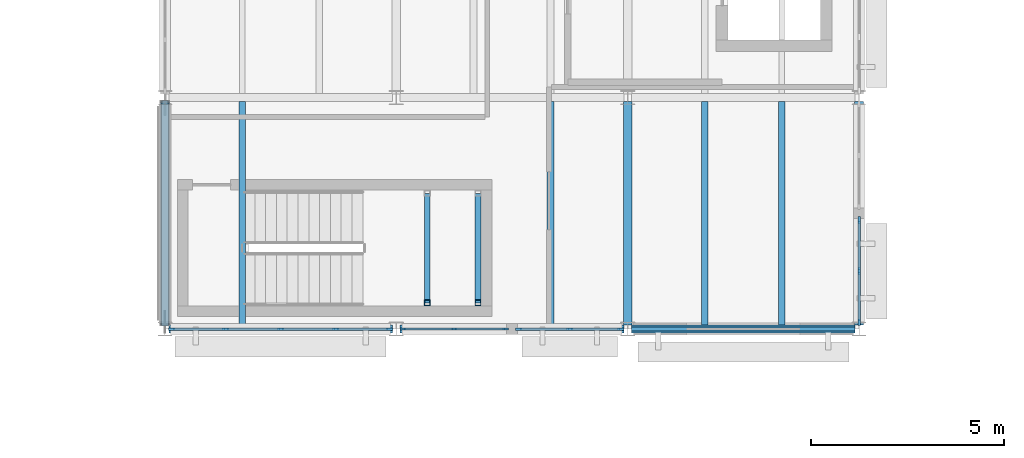
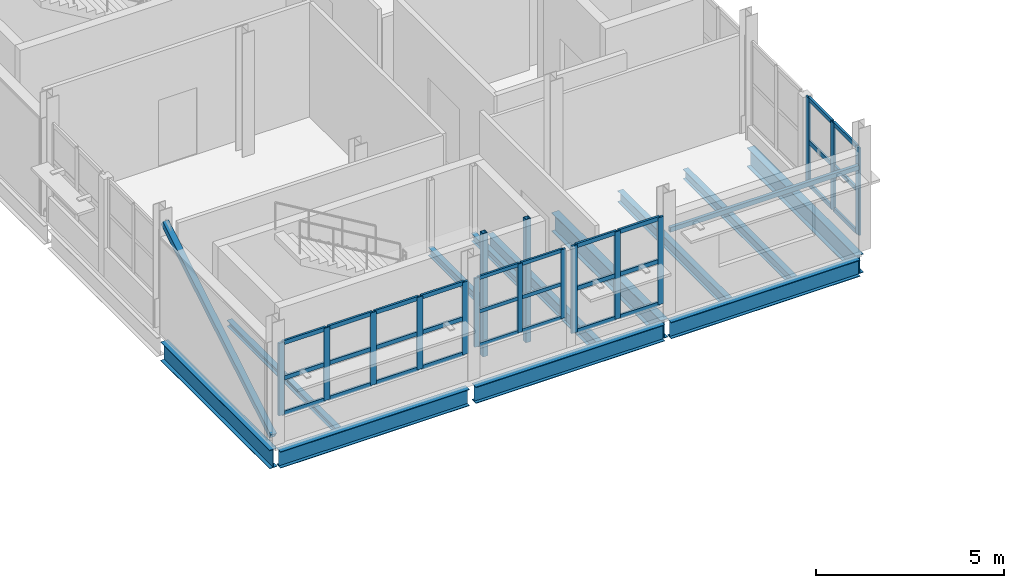
# One storey, part 30 of 92: 47 members, 13 beams, 4 elements without a shape of their own.
"""IFC4 building model written with IfcOpenShell, lengths in metres."""

from ifc_helpers import new_model, si_unit, direction, frame, origin, origin_2d, place, context, subcontext, project, spatial, rectangle, hollow_rectangle, i_section, extrude, material, material_profile, profile_set, type_object, element, aggregate, save


model = new_model("IFC4")

# Units and contexts
model_context = context("Model", 3, precision=1e-05, world=origin(), true_north=direction((0.0, 1.0)))
body_context = subcontext(model_context, "Body", "Model", "MODEL_VIEW")
ifc_project = project(units=[si_unit("LENGTHUNIT", "METRE"), si_unit("AREAUNIT", "SQUARE_METRE"), si_unit("VOLUMEUNIT", "CUBIC_METRE"), si_unit("PLANEANGLEUNIT", "RADIAN"), si_unit("MASSUNIT", "GRAM", prefix="KILO")], contexts=[model_context])

# Site, building, storey
site_placement = place(None, origin())
site = spatial("IfcSite", under=ifc_project, at=site_placement, CompositionType="ELEMENT")
building_placement = place(site_placement, origin())
building = spatial("IfcBuilding", under=site, at=building_placement, Name="Siltcreek Boulevard Central Fire Station", CompositionType="ELEMENT")
storey_placement = place(building_placement, frame((0.0, 0.0, 6.0)))
storey = spatial("IfcBuildingStorey", under=building, at=storey_placement, Name="L02", CompositionType="ELEMENT", Elevation=6.0)

# Beams
ifc_material_1 = material(Name="Structural steel ASTM A992 Gr50", Category="steel")
ifc_material_profile_1 = material_profile(ifc_material_1, i_section(OverallWidth=0.2109375, OverallDepth=0.5390625, WebThickness=0.01171875, FlangeThickness=0.018798828125, at=origin_2d()), Name="W530X109")
ifc_profile_set_1 = profile_set([ifc_material_profile_1], Name="Structural steel ASTM A992 Gr50")
beam_type_1 = type_object("IfcBeamType", Name="BM_W530X109", PredefinedType="BEAM", material=ifc_profile_set_1)
for number, where, z_axis, x_axis, name in (
    (1, (42.10009765625, 94.199951171875, -0.589599609375), (1.0, 0.0, 0.0), (0.0, 1.0, 0.0), "L02 primary steel girder GX-0116"),
    (2, (48.10009765625, 94.199951171875, -0.589599609375), (1.0, 0.0, 0.0), (0.0, 1.0, 0.0), "L02 primary steel girder GX-0117"),
    (3, (54.10009765625, 94.199951171875, -0.589599609375), (1.0, 0.0, 0.0), (0.0, 1.0, 0.0), "L02 primary steel girder GX-0118"),
):
    element("IfcBeam", number, at=place(storey_placement, frame(where, z_axis=z_axis, x_axis=x_axis)), inside=storey, type_object=beam_type_1, Name=name, PredefinedType="BEAM", context=body_context, shape_type="SweptSolid", body=[
        extrude(i_section(OverallWidth=0.2109375, OverallDepth=0.5390625, WebThickness=0.01171875, FlangeThickness=0.018798828125, at=origin_2d()), origin(), (0.0, 0.0, 1.0), 5.7998046875),
    ])
ifc_material_profile_2 = material_profile(ifc_material_1, i_section(OverallWidth=0.22802734375, OverallDepth=0.60791015625, WebThickness=0.01123046875, FlangeThickness=0.017333984375, at=origin_2d()), Name="W610X113")
ifc_profile_set_2 = profile_set([ifc_material_profile_2], Name="Structural steel ASTM A992 Gr50")
beam_type_2 = type_object("IfcBeamType", Name="BM_W610X113", PredefinedType="BEAM", material=ifc_profile_set_2)
for number, where, z_axis, x_axis, name in (
    (4, (42.0, 94.300048828125, -0.6240234375), (0.0, 1.0, 0.0), (-1.0, 0.0, 0.0), "L02 primary steel girder GY-0128"),
    (5, (54.0, 94.300048828125, -0.6240234375), (0.0, 1.0, 0.0), (-1.0, 0.0, 0.0), "L02 primary steel girder GY-0132"),
    (6, (60.0, 94.300048828125, -0.6240234375), (0.0, 1.0, 0.0), (-1.0, 0.0, 0.0), "L02 primary steel girder GY-0135"),
):
    element("IfcBeam", number, at=place(storey_placement, frame(where, z_axis=z_axis, x_axis=x_axis)), inside=storey, type_object=beam_type_2, Name=name, PredefinedType="BEAM", context=body_context, shape_type="SweptSolid", body=[
        extrude(i_section(OverallWidth=0.22802734375, OverallDepth=0.60791015625, WebThickness=0.01123046875, FlangeThickness=0.017333984375, at=origin_2d()), origin(), (0.0, 0.0, 1.0), 5.800048828125),
    ])

# Members
ifc_material_2 = material(Name="Structural steel ASTM A500 GrC", Category="steel")
ifc_material_profile_3 = material_profile(ifc_material_2, hollow_rectangle(XDim=0.14990234375, YDim=0.14990234375, WallThickness=0.008056640625, at=origin_2d()), Name="HSS150X150X8.0")
ifc_profile_set_3 = profile_set([ifc_material_profile_3], Name="Structural steel ASTM A500 GrC")
member_type_1 = type_object("IfcMemberType", Name="BR_HSS150_8", PredefinedType="BRACE", material=ifc_profile_set_3)
for number, where, z_axis, x_axis, name in (
    (7, (48.800048828125, 94.8798828125, 0.0), (0.0, 0.0, 1.0), (1.0, 0.0, 0.0), "L02 ST-V3A stair landing corner post SW"),
    (8, (50.1201171875, 94.8798828125, 0.0), (0.0, 0.0, 1.0), (1.0, 0.0, 0.0), "L02 ST-V3A stair landing corner post SE"),
):
    element("IfcMember", number, at=place(storey_placement, frame(where, z_axis=z_axis, x_axis=x_axis)), inside=storey, type_object=member_type_1, Name=name, PredefinedType="BRACE", context=body_context, shape_type="SweptSolid", body=[
        extrude(hollow_rectangle(XDim=0.14990234375, YDim=0.14990234375, WallThickness=0.008056640625, at=origin_2d()), origin(), (0.0, 0.0, 1.0), 4.0),
    ])
ifc_material_profile_4 = material_profile(ifc_material_2, hollow_rectangle(XDim=0.179931640625, YDim=0.179931640625, WallThickness=0.008056640625, at=origin_2d()), Name="HSS180X180X8.0")
ifc_profile_set_4 = profile_set([ifc_material_profile_4], Name="Structural steel ASTM A500 GrC")
member_type_2 = type_object("IfcMemberType", Name="BR_HSS180", PredefinedType="BRACE", material=ifc_profile_set_4)
member_1_placement = place(storey_placement, frame((42.0, 94.320068359375, 0.10009765625), z_axis=(0.0, 0.857890513261, 0.513832528415), x_axis=(-1.0, 0.0, 0.0)))
element("IfcMember", 9, at=member_1_placement, inside=storey, type_object=member_type_2, Name="L02 SCBF concentrically braced frame BR-014", PredefinedType="BRACE", context=body_context, shape_type="SweptSolid", body=[
    extrude(hollow_rectangle(XDim=0.179931640625, YDim=0.179931640625, WallThickness=0.008056640625, at=origin_2d()), origin(), (0.0, 0.0, 1.0), 6.714111328125),
])

# Curtain wall, members
ifc_material_3 = material(Name="Anodized aluminum and low-E insulated glazing", Category="aluminium")
curtain_wall_type_1 = type_object("IfcCurtainWallType", Name="CW_SYS_06", PredefinedType="USERDEFINED", material=ifc_material_3)
curtain_wall_1_placement = place(storey_placement, origin())
curtain_wall_1 = element("IfcCurtainWall", 10, at=curtain_wall_1_placement, inside=storey, type_object=curtain_wall_type_1, Name="L02 V3 unitised curtain wall CW-035", ObjectType="CURTAIN WALL", PredefinedType="USERDEFINED")
ifc_material_4 = material(Name="Anodized 6063-T6 aluminum framing", Category="aluminium")
ifc_material_profile_5 = material_profile(ifc_material_4, rectangle(XDim=0.06005859375, YDim=0.14990234375, at=origin_2d()), Name="MULL60X150")
ifc_profile_set_5 = profile_set([ifc_material_profile_5], Name="Anodized 6063-T6 aluminum framing")
member_type_3 = type_object("IfcMemberType", Name="CWM_60X150", PredefinedType="MULLION", material=ifc_profile_set_5)
member_2_placement = place(storey_placement, frame((48.175048828125, 94.199951171875, 0.919921875), z_axis=(0.0, 0.0, 1.0), x_axis=(0.0, 1.0, 0.0)))
member_2 = element("IfcMember", 11, at=member_2_placement, type_object=member_type_3, Name="CW-035 mullion 1", PredefinedType="MULLION", context=body_context, shape_type="SweptSolid", body=[
    extrude(rectangle(XDim=0.06005859375, YDim=0.14990234375, at=origin_2d()), origin(), (0.0, 0.0, 1.0), 2.233154296875),
])
member_3_placement = place(storey_placement, frame((49.50244140625, 94.199951171875, 0.919921875), z_axis=(0.0, 0.0, 1.0), x_axis=(0.0, 1.0, 0.0)))
member_3 = element("IfcMember", 12, at=member_3_placement, type_object=member_type_3, Name="CW-035 mullion 2", PredefinedType="MULLION", context=body_context, shape_type="SweptSolid", body=[
    extrude(rectangle(XDim=0.06005859375, YDim=0.14990234375, at=origin_2d()), origin(), (0.0, 0.0, 1.0), 2.233154296875),
])
member_4_placement = place(storey_placement, frame((50.830078125, 94.199951171875, 0.919921875), z_axis=(0.0, 0.0, 1.0), x_axis=(0.0, 1.0, 0.0)))
member_4 = element("IfcMember", 13, at=member_4_placement, type_object=member_type_3, Name="CW-035 mullion 3", PredefinedType="MULLION", context=body_context, shape_type="SweptSolid", body=[
    extrude(rectangle(XDim=0.06005859375, YDim=0.14990234375, at=origin_2d()), origin(), (0.0, 0.0, 1.0), 2.233154296875),
])

curtain_wall_type_2 = type_object("IfcCurtainWallType", Name="CW_SYS_05", PredefinedType="USERDEFINED", material=ifc_material_3)
curtain_wall_2_placement = place(storey_placement, origin())
curtain_wall_2 = element("IfcCurtainWall", 14, at=curtain_wall_2_placement, inside=storey, type_object=curtain_wall_type_2, Name="L02 V3 unitised curtain wall CW-034", ObjectType="CURTAIN WALL", PredefinedType="USERDEFINED")
ifc_material_profile_6 = material_profile(ifc_material_4, rectangle(XDim=0.06494140625, YDim=0.175048828125, at=origin_2d()), Name="MULL65X175")
ifc_profile_set_6 = profile_set([ifc_material_profile_6], Name="Anodized 6063-T6 aluminum framing")
member_type_4 = type_object("IfcMemberType", Name="CWM_65X175", PredefinedType="MULLION", material=ifc_profile_set_6)
member_5_placement = place(storey_placement, frame((42.177490234375, 94.199951171875, 0.800048828125), z_axis=(0.0, 0.0, 1.0), x_axis=(0.0, 1.0, 0.0)))
member_5 = element("IfcMember", 15, at=member_5_placement, type_object=member_type_4, Name="CW-034 mullion 1", PredefinedType="MULLION", context=body_context, shape_type="SweptSolid", body=[
    extrude(rectangle(XDim=0.06494140625, YDim=0.175048828125, at=origin_2d()), origin(), (0.0, 0.0, 1.0), 2.35302734375),
])
member_6_placement = place(storey_placement, frame((43.572509765625, 94.199951171875, 0.800048828125), z_axis=(0.0, 0.0, 1.0), x_axis=(0.0, 1.0, 0.0)))
member_6 = element("IfcMember", 16, at=member_6_placement, type_object=member_type_4, Name="CW-034 mullion 2", PredefinedType="MULLION", context=body_context, shape_type="SweptSolid", body=[
    extrude(rectangle(XDim=0.06494140625, YDim=0.175048828125, at=origin_2d()), origin(), (0.0, 0.0, 1.0), 2.35302734375),
])
member_7_placement = place(storey_placement, frame((45.0, 94.199951171875, 0.800048828125), z_axis=(0.0, 0.0, 1.0), x_axis=(0.0, 1.0, 0.0)))
member_7 = element("IfcMember", 17, at=member_7_placement, type_object=member_type_4, Name="CW-034 mullion 3", PredefinedType="MULLION", context=body_context, shape_type="SweptSolid", body=[
    extrude(rectangle(XDim=0.06494140625, YDim=0.175048828125, at=origin_2d()), origin(), (0.0, 0.0, 1.0), 2.35302734375),
])
member_8_placement = place(storey_placement, frame((46.427490234375, 94.199951171875, 0.800048828125), z_axis=(0.0, 0.0, 1.0), x_axis=(0.0, 1.0, 0.0)))
member_8 = element("IfcMember", 18, at=member_8_placement, type_object=member_type_4, Name="CW-034 mullion 4", PredefinedType="MULLION", context=body_context, shape_type="SweptSolid", body=[
    extrude(rectangle(XDim=0.06494140625, YDim=0.175048828125, at=origin_2d()), origin(), (0.0, 0.0, 1.0), 2.35302734375),
])
member_9_placement = place(storey_placement, frame((47.822509765625, 94.199951171875, 0.800048828125), z_axis=(0.0, 0.0, 1.0), x_axis=(0.0, 1.0, 0.0)))
member_9 = element("IfcMember", 19, at=member_9_placement, type_object=member_type_4, Name="CW-034 mullion 5", PredefinedType="MULLION", context=body_context, shape_type="SweptSolid", body=[
    extrude(rectangle(XDim=0.06494140625, YDim=0.175048828125, at=origin_2d()), origin(), (0.0, 0.0, 1.0), 2.35302734375),
])

curtain_wall_type_3 = type_object("IfcCurtainWallType", Name="CW_SYS_07", PredefinedType="USERDEFINED", material=ifc_material_3)
curtain_wall_3_placement = place(storey_placement, origin())
curtain_wall_3 = element("IfcCurtainWall", 20, at=curtain_wall_3_placement, inside=storey, type_object=curtain_wall_type_3, Name="L02 V3 unitised curtain wall CW-036", ObjectType="CURTAIN WALL", PredefinedType="USERDEFINED")
member_10_placement = place(storey_placement, frame((51.172607421875, 94.199951171875, 0.320068359375), z_axis=(0.0, 0.0, 1.0), x_axis=(0.0, 1.0, 0.0)))
member_10 = element("IfcMember", 21, at=member_10_placement, type_object=member_type_4, Name="CW-036 mullion 1", PredefinedType="MULLION", context=body_context, shape_type="SweptSolid", body=[
    extrude(rectangle(XDim=0.06494140625, YDim=0.175048828125, at=origin_2d()), origin(), (0.0, 0.0, 1.0), 2.8330078125),
])
member_11_placement = place(storey_placement, frame((52.49755859375, 94.199951171875, 0.320068359375), z_axis=(0.0, 0.0, 1.0), x_axis=(0.0, 1.0, 0.0)))
member_11 = element("IfcMember", 22, at=member_11_placement, type_object=member_type_4, Name="CW-036 mullion 2", PredefinedType="MULLION", context=body_context, shape_type="SweptSolid", body=[
    extrude(rectangle(XDim=0.06494140625, YDim=0.175048828125, at=origin_2d()), origin(), (0.0, 0.0, 1.0), 2.8330078125),
])
member_12_placement = place(storey_placement, frame((53.822509765625, 94.199951171875, 0.320068359375), z_axis=(0.0, 0.0, 1.0), x_axis=(0.0, 1.0, 0.0)))
member_12 = element("IfcMember", 23, at=member_12_placement, type_object=member_type_4, Name="CW-036 mullion 3", PredefinedType="MULLION", context=body_context, shape_type="SweptSolid", body=[
    extrude(rectangle(XDim=0.06494140625, YDim=0.175048828125, at=origin_2d()), origin(), (0.0, 0.0, 1.0), 2.8330078125),
])

curtain_wall_type_4 = type_object("IfcCurtainWallType", Name="CW_SYS_13", PredefinedType="USERDEFINED", material=ifc_material_3)
curtain_wall_4_placement = place(storey_placement, origin())
curtain_wall_4 = element("IfcCurtainWall", 24, at=curtain_wall_4_placement, inside=storey, type_object=curtain_wall_type_4, Name="L02 V3 unitised curtain wall CW-042", ObjectType="CURTAIN WALL", PredefinedType="USERDEFINED")
member_13_placement = place(storey_placement, frame((60.0, 94.37744140625, 0.320068359375), z_axis=(0.0, 0.0, 1.0), x_axis=(-1.0, 0.0, 0.0)))
member_13 = element("IfcMember", 25, at=member_13_placement, type_object=member_type_4, Name="CW-042 mullion 1", PredefinedType="MULLION", context=body_context, shape_type="SweptSolid", body=[
    extrude(rectangle(XDim=0.06494140625, YDim=0.175048828125, at=origin_2d()), origin(), (0.0, 0.0, 1.0), 2.8369140625),
])
member_14_placement = place(storey_placement, frame((60.0, 95.702392578125, 0.320068359375), z_axis=(0.0, 0.0, 1.0), x_axis=(-1.0, 0.0, 0.0)))
member_14 = element("IfcMember", 26, at=member_14_placement, type_object=member_type_4, Name="CW-042 mullion 2", PredefinedType="MULLION", context=body_context, shape_type="SweptSolid", body=[
    extrude(rectangle(XDim=0.06494140625, YDim=0.175048828125, at=origin_2d()), origin(), (0.0, 0.0, 1.0), 2.8369140625),
])
member_15_placement = place(storey_placement, frame((60.0, 97.027587890625, 0.320068359375), z_axis=(0.0, 0.0, 1.0), x_axis=(-1.0, 0.0, 0.0)))
member_15 = element("IfcMember", 27, at=member_15_placement, type_object=member_type_4, Name="CW-042 mullion 3", PredefinedType="MULLION", context=body_context, shape_type="SweptSolid", body=[
    extrude(rectangle(XDim=0.06494140625, YDim=0.175048828125, at=origin_2d()), origin(), (0.0, 0.0, 1.0), 2.8369140625),
])

# Member
ifc_material_profile_7 = material_profile(ifc_material_4, rectangle(XDim=0.06005859375, YDim=0.114990234375, at=origin_2d()), Name="TRAN60X115")
ifc_profile_set_7 = profile_set([ifc_material_profile_7], Name="Anodized 6063-T6 aluminum framing")
member_type_5 = type_object("IfcMemberType", Name="CWT_60X115", PredefinedType="USERDEFINED", material=ifc_profile_set_7)
member_16_placement = place(storey_placement, frame((48.205078125, 94.199951171875, 0.949951171875), z_axis=(1.0, 0.0, 0.0), x_axis=(0.0, 1.0, 0.0)))
member_16 = element("IfcMember", 28, at=member_16_placement, type_object=member_type_5, Name="CW-035 transom 1.1", ObjectType="TRANSOM", PredefinedType="USERDEFINED", context=body_context, shape_type="SweptSolid", body=[
    extrude(rectangle(XDim=0.06005859375, YDim=0.114990234375, at=origin_2d()), origin(), (0.0, 0.0, 1.0), 1.267333984375),
])

member_17_placement = place(storey_placement, frame((48.205078125, 94.199951171875, 2.03662109375), z_axis=(1.0, 0.0, 0.0), x_axis=(0.0, 1.0, 0.0)))
member_17 = element("IfcMember", 29, at=member_17_placement, type_object=member_type_5, Name="CW-035 transom 1.2", ObjectType="TRANSOM", PredefinedType="USERDEFINED", context=body_context, shape_type="SweptSolid", body=[
    extrude(rectangle(XDim=0.06005859375, YDim=0.114990234375, at=origin_2d()), origin(), (0.0, 0.0, 1.0), 1.267333984375),
])

member_18_placement = place(storey_placement, frame((48.205078125, 94.199951171875, 3.123046875), z_axis=(1.0, 0.0, 0.0), x_axis=(0.0, 1.0, 0.0)))
member_18 = element("IfcMember", 30, at=member_18_placement, type_object=member_type_5, Name="CW-035 transom 1.3", ObjectType="TRANSOM", PredefinedType="USERDEFINED", context=body_context, shape_type="SweptSolid", body=[
    extrude(rectangle(XDim=0.06005859375, YDim=0.114990234375, at=origin_2d()), origin(), (0.0, 0.0, 1.0), 1.267333984375),
])

member_19_placement = place(storey_placement, frame((49.532470703125, 94.199951171875, 0.949951171875), z_axis=(1.0, 0.0, 0.0), x_axis=(0.0, 1.0, 0.0)))
member_19 = element("IfcMember", 31, at=member_19_placement, type_object=member_type_5, Name="CW-035 transom 2.1", ObjectType="TRANSOM", PredefinedType="USERDEFINED", context=body_context, shape_type="SweptSolid", body=[
    extrude(rectangle(XDim=0.06005859375, YDim=0.114990234375, at=origin_2d()), origin(), (0.0, 0.0, 1.0), 1.267578125),
])

member_20_placement = place(storey_placement, frame((49.532470703125, 94.199951171875, 2.03662109375), z_axis=(1.0, 0.0, 0.0), x_axis=(0.0, 1.0, 0.0)))
member_20 = element("IfcMember", 32, at=member_20_placement, type_object=member_type_5, Name="CW-035 transom 2.2", ObjectType="TRANSOM", PredefinedType="USERDEFINED", context=body_context, shape_type="SweptSolid", body=[
    extrude(rectangle(XDim=0.06005859375, YDim=0.114990234375, at=origin_2d()), origin(), (0.0, 0.0, 1.0), 1.267578125),
])

member_21_placement = place(storey_placement, frame((49.532470703125, 94.199951171875, 3.123046875), z_axis=(1.0, 0.0, 0.0), x_axis=(0.0, 1.0, 0.0)))
member_21 = element("IfcMember", 33, at=member_21_placement, type_object=member_type_5, Name="CW-035 transom 2.3", ObjectType="TRANSOM", PredefinedType="USERDEFINED", context=body_context, shape_type="SweptSolid", body=[
    extrude(rectangle(XDim=0.06005859375, YDim=0.114990234375, at=origin_2d()), origin(), (0.0, 0.0, 1.0), 1.267578125),
])

aggregate(curtain_wall_1, [member_2, member_3, member_4, member_16, member_17, member_18, member_19, member_20, member_21])

ifc_material_profile_8 = material_profile(ifc_material_4, rectangle(XDim=0.06494140625, YDim=0.135009765625, at=origin_2d()), Name="TRAN65X135")
ifc_profile_set_8 = profile_set([ifc_material_profile_8], Name="Anodized 6063-T6 aluminum framing")
member_type_6 = type_object("IfcMemberType", Name="CWT_65X135", PredefinedType="USERDEFINED", material=ifc_profile_set_8)
member_22_placement = place(storey_placement, frame((42.2099609375, 94.199951171875, 0.83251953125), z_axis=(1.0, 0.0, 0.0), x_axis=(0.0, 1.0, 0.0)))
member_22 = element("IfcMember", 34, at=member_22_placement, type_object=member_type_6, Name="CW-034 transom 1.1", ObjectType="TRANSOM", PredefinedType="USERDEFINED", context=body_context, shape_type="SweptSolid", body=[
    extrude(rectangle(XDim=0.06494140625, YDim=0.135009765625, at=origin_2d()), origin(), (0.0, 0.0, 1.0), 1.330078125),
])

member_23_placement = place(storey_placement, frame((42.2099609375, 94.199951171875, 1.9765625), z_axis=(1.0, 0.0, 0.0), x_axis=(0.0, 1.0, 0.0)))
member_23 = element("IfcMember", 35, at=member_23_placement, type_object=member_type_6, Name="CW-034 transom 1.2", ObjectType="TRANSOM", PredefinedType="USERDEFINED", context=body_context, shape_type="SweptSolid", body=[
    extrude(rectangle(XDim=0.06494140625, YDim=0.135009765625, at=origin_2d()), origin(), (0.0, 0.0, 1.0), 1.330078125),
])

member_24_placement = place(storey_placement, frame((42.2099609375, 94.199951171875, 3.12060546875), z_axis=(1.0, 0.0, 0.0), x_axis=(0.0, 1.0, 0.0)))
member_24 = element("IfcMember", 36, at=member_24_placement, type_object=member_type_6, Name="CW-034 transom 1.3", ObjectType="TRANSOM", PredefinedType="USERDEFINED", context=body_context, shape_type="SweptSolid", body=[
    extrude(rectangle(XDim=0.06494140625, YDim=0.135009765625, at=origin_2d()), origin(), (0.0, 0.0, 1.0), 1.330078125),
])

member_25_placement = place(storey_placement, frame((43.60498046875, 94.199951171875, 0.83251953125), z_axis=(1.0, 0.0, 0.0), x_axis=(0.0, 1.0, 0.0)))
member_25 = element("IfcMember", 37, at=member_25_placement, type_object=member_type_6, Name="CW-034 transom 2.1", ObjectType="TRANSOM", PredefinedType="USERDEFINED", context=body_context, shape_type="SweptSolid", body=[
    extrude(rectangle(XDim=0.06494140625, YDim=0.135009765625, at=origin_2d()), origin(), (0.0, 0.0, 1.0), 1.362548828125),
])

member_26_placement = place(storey_placement, frame((43.60498046875, 94.199951171875, 1.9765625), z_axis=(1.0, 0.0, 0.0), x_axis=(0.0, 1.0, 0.0)))
member_26 = element("IfcMember", 38, at=member_26_placement, type_object=member_type_6, Name="CW-034 transom 2.2", ObjectType="TRANSOM", PredefinedType="USERDEFINED", context=body_context, shape_type="SweptSolid", body=[
    extrude(rectangle(XDim=0.06494140625, YDim=0.135009765625, at=origin_2d()), origin(), (0.0, 0.0, 1.0), 1.362548828125),
])

member_27_placement = place(storey_placement, frame((43.60498046875, 94.199951171875, 3.12060546875), z_axis=(1.0, 0.0, 0.0), x_axis=(0.0, 1.0, 0.0)))
member_27 = element("IfcMember", 39, at=member_27_placement, type_object=member_type_6, Name="CW-034 transom 2.3", ObjectType="TRANSOM", PredefinedType="USERDEFINED", context=body_context, shape_type="SweptSolid", body=[
    extrude(rectangle(XDim=0.06494140625, YDim=0.135009765625, at=origin_2d()), origin(), (0.0, 0.0, 1.0), 1.362548828125),
])

member_28_placement = place(storey_placement, frame((45.032470703125, 94.199951171875, 0.83251953125), z_axis=(1.0, 0.0, 0.0), x_axis=(0.0, 1.0, 0.0)))
member_28 = element("IfcMember", 40, at=member_28_placement, type_object=member_type_6, Name="CW-034 transom 3.1", ObjectType="TRANSOM", PredefinedType="USERDEFINED", context=body_context, shape_type="SweptSolid", body=[
    extrude(rectangle(XDim=0.06494140625, YDim=0.135009765625, at=origin_2d()), origin(), (0.0, 0.0, 1.0), 1.362548828125),
])

member_29_placement = place(storey_placement, frame((45.032470703125, 94.199951171875, 1.9765625), z_axis=(1.0, 0.0, 0.0), x_axis=(0.0, 1.0, 0.0)))
member_29 = element("IfcMember", 41, at=member_29_placement, type_object=member_type_6, Name="CW-034 transom 3.2", ObjectType="TRANSOM", PredefinedType="USERDEFINED", context=body_context, shape_type="SweptSolid", body=[
    extrude(rectangle(XDim=0.06494140625, YDim=0.135009765625, at=origin_2d()), origin(), (0.0, 0.0, 1.0), 1.362548828125),
])

member_30_placement = place(storey_placement, frame((45.032470703125, 94.199951171875, 3.12060546875), z_axis=(1.0, 0.0, 0.0), x_axis=(0.0, 1.0, 0.0)))
member_30 = element("IfcMember", 42, at=member_30_placement, type_object=member_type_6, Name="CW-034 transom 3.3", ObjectType="TRANSOM", PredefinedType="USERDEFINED", context=body_context, shape_type="SweptSolid", body=[
    extrude(rectangle(XDim=0.06494140625, YDim=0.135009765625, at=origin_2d()), origin(), (0.0, 0.0, 1.0), 1.362548828125),
])

member_31_placement = place(storey_placement, frame((46.4599609375, 94.199951171875, 0.83251953125), z_axis=(1.0, 0.0, 0.0), x_axis=(0.0, 1.0, 0.0)))
member_31 = element("IfcMember", 43, at=member_31_placement, type_object=member_type_6, Name="CW-034 transom 4.1", ObjectType="TRANSOM", PredefinedType="USERDEFINED", context=body_context, shape_type="SweptSolid", body=[
    extrude(rectangle(XDim=0.06494140625, YDim=0.135009765625, at=origin_2d()), origin(), (0.0, 0.0, 1.0), 1.330078125),
])

member_32_placement = place(storey_placement, frame((46.4599609375, 94.199951171875, 1.9765625), z_axis=(1.0, 0.0, 0.0), x_axis=(0.0, 1.0, 0.0)))
member_32 = element("IfcMember", 44, at=member_32_placement, type_object=member_type_6, Name="CW-034 transom 4.2", ObjectType="TRANSOM", PredefinedType="USERDEFINED", context=body_context, shape_type="SweptSolid", body=[
    extrude(rectangle(XDim=0.06494140625, YDim=0.135009765625, at=origin_2d()), origin(), (0.0, 0.0, 1.0), 1.330078125),
])

member_33_placement = place(storey_placement, frame((46.4599609375, 94.199951171875, 3.12060546875), z_axis=(1.0, 0.0, 0.0), x_axis=(0.0, 1.0, 0.0)))
member_33 = element("IfcMember", 45, at=member_33_placement, type_object=member_type_6, Name="CW-034 transom 4.3", ObjectType="TRANSOM", PredefinedType="USERDEFINED", context=body_context, shape_type="SweptSolid", body=[
    extrude(rectangle(XDim=0.06494140625, YDim=0.135009765625, at=origin_2d()), origin(), (0.0, 0.0, 1.0), 1.330078125),
])

aggregate(curtain_wall_2, [member_5, member_6, member_7, member_8, member_9, member_22, member_23, member_24, member_25, member_26, member_27, member_28, member_29, member_30, member_31, member_32, member_33])

member_34_placement = place(storey_placement, frame((51.205078125, 94.199951171875, 0.3525390625), z_axis=(1.0, 0.0, 0.0), x_axis=(0.0, 1.0, 0.0)))
member_34 = element("IfcMember", 46, at=member_34_placement, type_object=member_type_6, Name="CW-036 transom 1.1", ObjectType="TRANSOM", PredefinedType="USERDEFINED", context=body_context, shape_type="SweptSolid", body=[
    extrude(rectangle(XDim=0.06494140625, YDim=0.135009765625, at=origin_2d()), origin(), (0.0, 0.0, 1.0), 1.260009765625),
])

member_35_placement = place(storey_placement, frame((51.205078125, 94.199951171875, 1.736572265625), z_axis=(1.0, 0.0, 0.0), x_axis=(0.0, 1.0, 0.0)))
member_35 = element("IfcMember", 47, at=member_35_placement, type_object=member_type_6, Name="CW-036 transom 1.2", ObjectType="TRANSOM", PredefinedType="USERDEFINED", context=body_context, shape_type="SweptSolid", body=[
    extrude(rectangle(XDim=0.06494140625, YDim=0.135009765625, at=origin_2d()), origin(), (0.0, 0.0, 1.0), 1.260009765625),
])

member_36_placement = place(storey_placement, frame((51.205078125, 94.199951171875, 3.12060546875), z_axis=(1.0, 0.0, 0.0), x_axis=(0.0, 1.0, 0.0)))
member_36 = element("IfcMember", 48, at=member_36_placement, type_object=member_type_6, Name="CW-036 transom 1.3", ObjectType="TRANSOM", PredefinedType="USERDEFINED", context=body_context, shape_type="SweptSolid", body=[
    extrude(rectangle(XDim=0.06494140625, YDim=0.135009765625, at=origin_2d()), origin(), (0.0, 0.0, 1.0), 1.260009765625),
])

member_37_placement = place(storey_placement, frame((52.530029296875, 94.199951171875, 0.3525390625), z_axis=(1.0, 0.0, 0.0), x_axis=(0.0, 1.0, 0.0)))
member_37 = element("IfcMember", 49, at=member_37_placement, type_object=member_type_6, Name="CW-036 transom 2.1", ObjectType="TRANSOM", PredefinedType="USERDEFINED", context=body_context, shape_type="SweptSolid", body=[
    extrude(rectangle(XDim=0.06494140625, YDim=0.135009765625, at=origin_2d()), origin(), (0.0, 0.0, 1.0), 1.260009765625),
])

member_38_placement = place(storey_placement, frame((52.530029296875, 94.199951171875, 1.736572265625), z_axis=(1.0, 0.0, 0.0), x_axis=(0.0, 1.0, 0.0)))
member_38 = element("IfcMember", 50, at=member_38_placement, type_object=member_type_6, Name="CW-036 transom 2.2", ObjectType="TRANSOM", PredefinedType="USERDEFINED", context=body_context, shape_type="SweptSolid", body=[
    extrude(rectangle(XDim=0.06494140625, YDim=0.135009765625, at=origin_2d()), origin(), (0.0, 0.0, 1.0), 1.260009765625),
])

member_39_placement = place(storey_placement, frame((52.530029296875, 94.199951171875, 3.12060546875), z_axis=(1.0, 0.0, 0.0), x_axis=(0.0, 1.0, 0.0)))
member_39 = element("IfcMember", 51, at=member_39_placement, type_object=member_type_6, Name="CW-036 transom 2.3", ObjectType="TRANSOM", PredefinedType="USERDEFINED", context=body_context, shape_type="SweptSolid", body=[
    extrude(rectangle(XDim=0.06494140625, YDim=0.135009765625, at=origin_2d()), origin(), (0.0, 0.0, 1.0), 1.260009765625),
])

aggregate(curtain_wall_3, [member_10, member_11, member_12, member_34, member_35, member_36, member_37, member_38, member_39])

member_40_placement = place(storey_placement, frame((60.0, 94.409912109375, 0.3525390625), z_axis=(0.0, 1.0, 0.0), x_axis=(-1.0, 0.0, 0.0)))
member_40 = element("IfcMember", 52, at=member_40_placement, type_object=member_type_6, Name="CW-042 transom 1.1", ObjectType="TRANSOM", PredefinedType="USERDEFINED", context=body_context, shape_type="SweptSolid", body=[
    extrude(rectangle(XDim=0.06494140625, YDim=0.135009765625, at=origin_2d()), origin(), (0.0, 0.0, 1.0), 1.260009765625),
])

member_41_placement = place(storey_placement, frame((60.0, 94.409912109375, 1.738525390625), z_axis=(0.0, 1.0, 0.0), x_axis=(-1.0, 0.0, 0.0)))
member_41 = element("IfcMember", 53, at=member_41_placement, type_object=member_type_6, Name="CW-042 transom 1.2", ObjectType="TRANSOM", PredefinedType="USERDEFINED", context=body_context, shape_type="SweptSolid", body=[
    extrude(rectangle(XDim=0.06494140625, YDim=0.135009765625, at=origin_2d()), origin(), (0.0, 0.0, 1.0), 1.260009765625),
])

member_42_placement = place(storey_placement, frame((60.0, 94.409912109375, 3.12451171875), z_axis=(0.0, 1.0, 0.0), x_axis=(-1.0, 0.0, 0.0)))
member_42 = element("IfcMember", 54, at=member_42_placement, type_object=member_type_6, Name="CW-042 transom 1.3", ObjectType="TRANSOM", PredefinedType="USERDEFINED", context=body_context, shape_type="SweptSolid", body=[
    extrude(rectangle(XDim=0.06494140625, YDim=0.135009765625, at=origin_2d()), origin(), (0.0, 0.0, 1.0), 1.260009765625),
])

member_43_placement = place(storey_placement, frame((60.0, 95.735107421875, 0.3525390625), z_axis=(0.0, 1.0, 0.0), x_axis=(-1.0, 0.0, 0.0)))
member_43 = element("IfcMember", 55, at=member_43_placement, type_object=member_type_6, Name="CW-042 transom 2.1", ObjectType="TRANSOM", PredefinedType="USERDEFINED", context=body_context, shape_type="SweptSolid", body=[
    extrude(rectangle(XDim=0.06494140625, YDim=0.135009765625, at=origin_2d()), origin(), (0.0, 0.0, 1.0), 1.260009765625),
])

member_44_placement = place(storey_placement, frame((60.0, 95.735107421875, 1.738525390625), z_axis=(0.0, 1.0, 0.0), x_axis=(-1.0, 0.0, 0.0)))
member_44 = element("IfcMember", 56, at=member_44_placement, type_object=member_type_6, Name="CW-042 transom 2.2", ObjectType="TRANSOM", PredefinedType="USERDEFINED", context=body_context, shape_type="SweptSolid", body=[
    extrude(rectangle(XDim=0.06494140625, YDim=0.135009765625, at=origin_2d()), origin(), (0.0, 0.0, 1.0), 1.260009765625),
])

member_45_placement = place(storey_placement, frame((60.0, 95.735107421875, 3.12451171875), z_axis=(0.0, 1.0, 0.0), x_axis=(-1.0, 0.0, 0.0)))
member_45 = element("IfcMember", 57, at=member_45_placement, type_object=member_type_6, Name="CW-042 transom 2.3", ObjectType="TRANSOM", PredefinedType="USERDEFINED", context=body_context, shape_type="SweptSolid", body=[
    extrude(rectangle(XDim=0.06494140625, YDim=0.135009765625, at=origin_2d()), origin(), (0.0, 0.0, 1.0), 1.260009765625),
])

aggregate(curtain_wall_4, [member_13, member_14, member_15, member_40, member_41, member_42, member_43, member_44, member_45])

# Beams
ifc_material_profile_9 = material_profile(ifc_material_1, i_section(OverallWidth=0.1650390625, OverallDepth=0.200927734375, WebThickness=0.006103515625, FlangeThickness=0.01025390625, at=origin_2d()), Name="W200X36")
ifc_profile_set_9 = profile_set([ifc_material_profile_9], Name="Structural steel ASTM A992 Gr50")
beam_type_3 = type_object("IfcBeamType", Name="JST_W200X36", PredefinedType="JOIST", material=ifc_profile_set_9)
beam_1_placement = place(storey_placement, frame((44.0, 94.303466796875, -0.42041015625), z_axis=(0.0, 1.0, 0.0), x_axis=(-1.0, 0.0, 0.0)))
element("IfcBeam", 58, at=beam_1_placement, inside=storey, type_object=beam_type_3, Name="L02 secondary steel floor joist 0107", PredefinedType="JOIST", context=body_context, shape_type="SweptSolid", body=[
    extrude(i_section(OverallWidth=0.1650390625, OverallDepth=0.200927734375, WebThickness=0.006103515625, FlangeThickness=0.01025390625, at=origin_2d()), origin(), (0.0, 0.0, 1.0), 5.79296875),
])
ifc_material_profile_10 = material_profile(ifc_material_1, i_section(OverallWidth=0.14697265625, OverallDepth=0.261962890625, WebThickness=0.006591796875, FlangeThickness=0.01123046875, at=origin_2d()), Name="W250X39")
ifc_profile_set_10 = profile_set([ifc_material_profile_10], Name="Structural steel ASTM A992 Gr50")
beam_type_4 = type_object("IfcBeamType", Name="JST_W250X39", PredefinedType="JOIST", material=ifc_profile_set_10)
for number, where, z_axis, x_axis, name in (
    (59, (48.800048828125, 94.8798828125, 1.6689453125), (0.0, 1.0, 0.0), (-1.0, 0.0, 0.0), "L02 ST-V3A stair landing bearer MIDW"),
    (60, (50.1201171875, 94.8798828125, 1.6689453125), (0.0, 1.0, 0.0), (-1.0, 0.0, 0.0), "L02 ST-V3A stair landing bearer MIDE"),
):
    element("IfcBeam", number, at=place(storey_placement, frame(where, z_axis=z_axis, x_axis=x_axis)), inside=storey, type_object=beam_type_4, Name=name, PredefinedType="JOIST", context=body_context, shape_type="SweptSolid", body=[
        extrude(i_section(OverallWidth=0.14697265625, OverallDepth=0.261962890625, WebThickness=0.006591796875, FlangeThickness=0.01123046875, at=origin_2d()), origin(), (0.0, 0.0, 1.0), 2.840087890625),
    ])
ifc_material_profile_11 = material_profile(ifc_material_1, i_section(OverallWidth=0.166015625, OverallDepth=0.31298828125, WebThickness=0.006591796875, FlangeThickness=0.01123046875, at=origin_2d()), Name="W310X45")
ifc_profile_set_11 = profile_set([ifc_material_profile_11], Name="Structural steel ASTM A992 Gr50")
beam_type_5 = type_object("IfcBeamType", Name="JST_W310X45", PredefinedType="JOIST", material=ifc_profile_set_11)
beam_2_placement = place(storey_placement, frame((58.0, 94.303466796875, -0.4765625), z_axis=(0.0, 1.0, 0.0), x_axis=(-1.0, 0.0, 0.0)))
element("IfcBeam", 61, at=beam_2_placement, inside=storey, type_object=beam_type_5, Name="L02 secondary steel floor joist 0110", PredefinedType="JOIST", context=body_context, shape_type="SweptSolid", body=[
    extrude(i_section(OverallWidth=0.166015625, OverallDepth=0.31298828125, WebThickness=0.006591796875, FlangeThickness=0.01123046875, at=origin_2d()), origin(), (0.0, 0.0, 1.0), 5.79296875),
])
ifc_material_profile_12 = material_profile(ifc_material_1, i_section(OverallWidth=0.172119140625, OverallDepth=0.35791015625, WebThickness=0.0078125, FlangeThickness=0.01318359375, at=origin_2d()), Name="W360X57")
ifc_profile_set_12 = profile_set([ifc_material_profile_12], Name="Structural steel ASTM A992 Gr50")
beam_type_6 = type_object("IfcBeamType", Name="JST_W360X57", PredefinedType="JOIST", material=ifc_profile_set_12)
beam_3_placement = place(storey_placement, frame((56.0, 94.303466796875, -0.4990234375), z_axis=(0.0, 1.0, 0.0), x_axis=(-1.0, 0.0, 0.0)))
element("IfcBeam", 62, at=beam_3_placement, inside=storey, type_object=beam_type_6, Name="L02 secondary steel floor joist 0109", PredefinedType="JOIST", context=body_context, shape_type="SweptSolid", body=[
    extrude(i_section(OverallWidth=0.172119140625, OverallDepth=0.35791015625, WebThickness=0.0078125, FlangeThickness=0.01318359375, at=origin_2d()), origin(), (0.0, 0.0, 1.0), 5.79296875),
])
ifc_material_profile_13 = material_profile(ifc_material_1, i_section(OverallWidth=0.177001953125, OverallDepth=0.403076171875, WebThickness=0.007568359375, FlangeThickness=0.010986328125, at=origin_2d()), Name="W410X53")
ifc_profile_set_13 = profile_set([ifc_material_profile_13], Name="Structural steel ASTM A992 Gr50")
beam_type_7 = type_object("IfcBeamType", Name="JST_W410X53", PredefinedType="JOIST", material=ifc_profile_set_13)
beam_4_placement = place(storey_placement, frame((52.0, 94.303466796875, -0.521484375), z_axis=(0.0, 1.0, 0.0), x_axis=(-1.0, 0.0, 0.0)))
element("IfcBeam", 63, at=beam_4_placement, inside=storey, type_object=beam_type_7, Name="L02 secondary steel floor joist 0108", PredefinedType="JOIST", context=body_context, shape_type="SweptSolid", body=[
    extrude(i_section(OverallWidth=0.177001953125, OverallDepth=0.403076171875, WebThickness=0.007568359375, FlangeThickness=0.010986328125, at=origin_2d()), origin(), (0.0, 0.0, 1.0), 5.79296875),
])
ifc_material_profile_14 = material_profile(ifc_material_2, hollow_rectangle(XDim=0.10009765625, YDim=0.14990234375, WallThickness=0.00634765625, at=origin_2d()), Name="HSS150X100X6.4")
ifc_profile_set_14 = profile_set([ifc_material_profile_14], Name="Structural steel ASTM A500 GrC")
beam_type_8 = type_object("IfcBeamType", Name="LIN_HSS150X100", PredefinedType="LINTEL", material=ifc_profile_set_14)
beam_5_placement = place(storey_placement, frame((54.10009765625, 94.199951171875, 2.639892578125), z_axis=(1.0, 0.0, 0.0), x_axis=(0.0, 1.0, 0.0)))
element("IfcBeam", 64, at=beam_5_placement, inside=storey, type_object=beam_type_8, Name="Exterior window steel lintel WLN-19", PredefinedType="LINTEL", context=body_context, shape_type="SweptSolid", body=[
    extrude(hollow_rectangle(XDim=0.10009765625, YDim=0.14990234375, WallThickness=0.00634765625, at=origin_2d()), origin(), (0.0, 0.0, 1.0), 5.7998046875),
])

save(model, "model.ifc")
